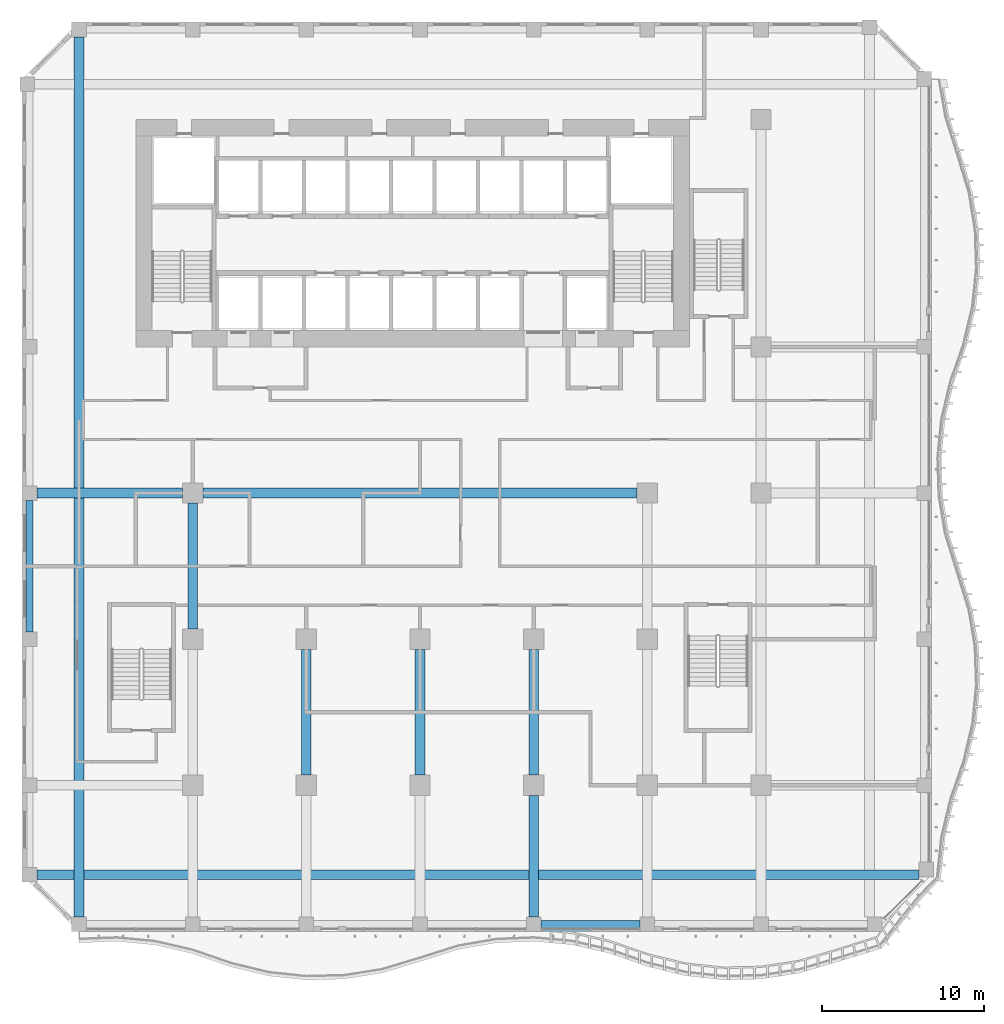
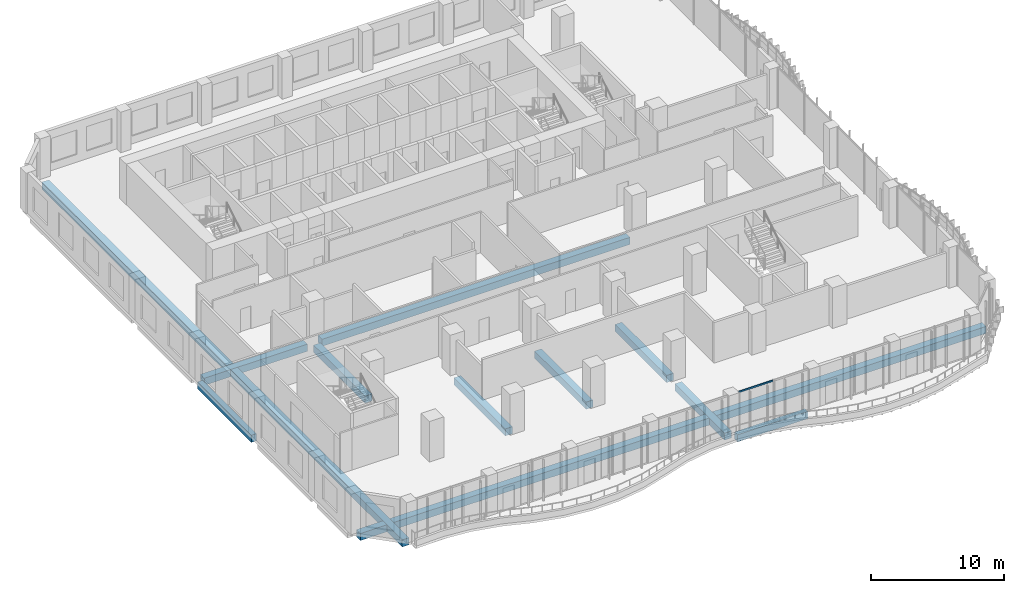
# One storey, part 3 of 25: 11 beams, 1 member, 1 element without a shape of its own.
"""IFC4 building model written with IfcOpenShell, lengths in metres."""

import ifcopenshell
import ifcopenshell.guid

model = None  # the IFC model being written
_history = None  # IfcOwnerHistory: only IFC2X3 demands one
_inside = {}  # id of a spatial element -> (the spatial element, [elements in it])
_under = {}  # id of a project, library or spatial element -> (it, [spatial elements below it])
_declared = {}  # id of a project -> (the project, [libraries it declares])
_typed = {}  # id of a type object -> (the type object, [elements of that type])
_made_of = {}  # id of a material, layer set ... -> (it, [elements and type objects made of it])


def new_model(schema):
    """Start an empty IFC model of exactly this schema.

    Asked for "IFC4X3", IfcOpenShell would pick the latest addendum, in which some entities
    have other attributes; the version numbers below select the first issue.
    IFC2X3 requires an IfcOwnerHistory on every rooted entity: one is made here for all.
    """
    global model, _history
    if schema == "IFC4X3":
        model = ifcopenshell.file(schema_version=(4, 3, 0, 0))
    else:
        model = ifcopenshell.file(schema=schema)
    _inside.clear()
    _under.clear()
    _declared.clear()
    _typed.clear()
    _made_of.clear()
    _history = None
    if model.schema == "IFC2X3":
        org = make("IfcOrganization", Name="unknown")
        user = make(
            "IfcPersonAndOrganization",
            ThePerson=make("IfcPerson", FamilyName="unknown"),
            TheOrganization=org,
        )
        app = make(
            "IfcApplication",
            ApplicationDeveloper=org,
            Version="unknown",
            ApplicationFullName="unknown",
            ApplicationIdentifier="unknown",
        )
        _history = make(
            "IfcOwnerHistory",
            OwningUser=user,
            OwningApplication=app,
            ChangeAction="ADDED",
            CreationDate=0,
        )
    return model


def make(cls, **values):
    """One entity of the class cls with the attributes given. An attribute that is None is left unset."""
    return model.create_entity(
        cls, **{name: value for name, value in values.items() if value is not None}
    )


def rooted(cls, **values):
    """An entity with a GlobalId (a new one), such as an element, a storey or a relation."""
    return make(cls, GlobalId=ifcopenshell.guid.new(), OwnerHistory=_history, **values)


def si_unit(unit_type, name, prefix=None):
    """IfcSIUnit, for example si_unit("LENGTHUNIT", "METRE", prefix="MILLI")."""
    return make("IfcSIUnit", UnitType=unit_type, Prefix=prefix, Name=name)


def assignment(units):
    """IfcUnitAssignment: the units of a project."""
    return None if units is None else make("IfcUnitAssignment", Units=units)


def point(xyz):
    """IfcCartesianPoint."""
    return None if xyz is None else make("IfcCartesianPoint", Coordinates=xyz)


def direction(xyz):
    """IfcDirection."""
    return None if xyz is None else make("IfcDirection", DirectionRatios=xyz)


def frame(location, z_axis=None, x_axis=None):
    """IfcAxis2Placement3D, a coordinate frame: its origin and axes. An axis left out is left unset."""
    return make(
        "IfcAxis2Placement3D",
        Location=point(location),
        Axis=direction(z_axis),
        RefDirection=direction(x_axis),
    )


def frame_2d(location, x_axis=None):
    """IfcAxis2Placement2D, a coordinate frame in the plane: its origin and x axis."""
    return make(
        "IfcAxis2Placement2D", Location=point(location), RefDirection=direction(x_axis)
    )


def origin():
    """The frame at (0, 0, 0) with its axes left unset."""
    return frame((0.0, 0.0, 0.0))


def origin_2d():
    """The frame at (0, 0) in the plane with its x axis left unset."""
    return frame_2d((0.0, 0.0))


def place(relative_to, where):
    """IfcLocalPlacement: puts the frame where relative to a parent placement (None: the world)."""
    return make(
        "IfcLocalPlacement", PlacementRelTo=relative_to, RelativePlacement=where
    )


def context(
    kind, dimensions, precision=None, world=None, true_north=None, identifier=None
):
    """IfcGeometricRepresentationContext, for example the 3D "Model" context."""
    return make(
        "IfcGeometricRepresentationContext",
        ContextIdentifier=identifier,
        ContextType=kind,
        CoordinateSpaceDimension=dimensions,
        Precision=precision,
        WorldCoordinateSystem=world,
        TrueNorth=true_north,
    )


def subcontext(parent, identifier, kind, view, scale=None):
    """IfcGeometricRepresentationSubContext, for example "Body" below "Model"."""
    return make(
        "IfcGeometricRepresentationSubContext",
        ContextIdentifier=identifier,
        ContextType=kind,
        ParentContext=parent,
        TargetScale=scale,
        TargetView=view,
    )


def project(units=None, contexts=None):
    """IfcProject with its units and contexts."""
    return rooted(
        "IfcProject",
        Name="project",
        RepresentationContexts=contexts,
        UnitsInContext=assignment(units),
    )


def spatial(cls, under=None, at=None, **own):
    """A site, building, storey or space (cls), placed at a placement, below another one or the project."""
    s = rooted(cls, ObjectPlacement=at, **own)
    if under is not None:
        _under.setdefault(under.id(), (under, []))[1].append(s)
    return s


def profile(cls, at=None, kind="AREA", **sizes):
    """A parametric profile (cls). Its sizes go by their IFC names, for example OverallWidth=200.0."""
    return make(cls, ProfileType=kind, Position=at, **sizes)


def rectangle(**sizes):
    """IfcRectangleProfileDef."""
    return profile("IfcRectangleProfileDef", **sizes)


def extrude(swept, where, along, depth):
    """IfcExtrudedAreaSolid: the profile swept, set in the frame where, extruded along a direction by depth."""
    return make(
        "IfcExtrudedAreaSolid",
        SweptArea=swept,
        Position=where,
        ExtrudedDirection=direction(along),
        Depth=depth,
    )


def shape(context_of_items, identifier, shape_type, items):
    """IfcShapeRepresentation: the items that make up one representation, for example the "Body"."""
    return make(
        "IfcShapeRepresentation",
        ContextOfItems=context_of_items,
        RepresentationIdentifier=identifier,
        RepresentationType=shape_type,
        Items=items,
    )


def source(mapping_origin, context_of_items, identifier, shape_type, items):
    """IfcRepresentationMap: a shape defined once, which mapped items show again and again."""
    return make(
        "IfcRepresentationMap",
        MappingOrigin=mapping_origin,
        MappedRepresentation=shape(context_of_items, identifier, shape_type, items),
    )


def transform(
    local_origin,
    x_axis=None,
    y_axis=None,
    z_axis=None,
    scale=None,
    scale2=None,
    scale3=None,
    uniform=True,
):
    """IfcCartesianTransformationOperator3D, or its non-uniform kind. x_axis, y_axis, z_axis: its Axis1, 2, 3."""
    if uniform:
        return make(
            "IfcCartesianTransformationOperator3D",
            Axis1=direction(x_axis),
            Axis2=direction(y_axis),
            LocalOrigin=point(local_origin),
            Scale=scale,
            Axis3=direction(z_axis),
        )
    return make(
        "IfcCartesianTransformationOperator3DnonUniform",
        Axis1=direction(x_axis),
        Axis2=direction(y_axis),
        LocalOrigin=point(local_origin),
        Scale=scale,
        Axis3=direction(z_axis),
        Scale2=scale2,
        Scale3=scale3,
    )


def mapped(mapping_source, mapping_target):
    """IfcMappedItem: shows the shape of a source again, moved by a transform."""
    return make(
        "IfcMappedItem", MappingSource=mapping_source, MappingTarget=mapping_target
    )


def material(Name=None, Category=None):
    """IfcMaterial."""
    return make("IfcMaterial", Name=Name, Category=Category)


def material_profile(
    of_material, cross_section, Name=None, Category=None, Priority=None
):
    """IfcMaterialProfile: a cross section and its material."""
    return make(
        "IfcMaterialProfile",
        Name=Name,
        Material=of_material,
        Profile=cross_section,
        Priority=Priority,
        Category=Category,
    )


def profile_set(profiles, Name=None, composite=None):
    """IfcMaterialProfileSet."""
    return make(
        "IfcMaterialProfileSet",
        Name=Name,
        MaterialProfiles=profiles,
        CompositeProfile=composite,
    )


def made_of(thing, what):
    """Note that an element or type object is made of a material, layer set ...; save() writes the relation."""
    if what is not None:
        _made_of.setdefault(what.id(), (what, []))[1].append(thing)
    return thing


def type_object(cls, material=None, **own):
    """A type object (cls), such as IfcWallType, which elements share."""
    return made_of(rooted(cls, **own), material)


def element(
    cls,
    number,
    at=None,
    inside=None,
    cuts=None,
    type_object=None,
    material=None,
    context=None,
    identifier="Body",
    shape_type=None,
    held_by="IfcProductDefinitionShape",
    body=None,
    shapes=None,
    **own,
):
    """One element of the class cls, such as IfcWall. Its Tag is "e" and its number.

    at: its placement. inside: the storey or other place that contains it. cuts: it is an
    opening in that element (IfcRelVoidsElement). A single representation is given by context,
    identifier, shape_type and body (its items); several are given by shapes. held_by: the class
    of the entity that holds the representations. save() writes the other relations.
    """
    e = rooted(cls, Tag="e%d" % number, ObjectPlacement=at, **own)
    if body is not None:
        shapes = [shape(context, identifier, shape_type, body)]
    if shapes is not None:
        e.Representation = make(held_by, Representations=shapes)
    if inside is not None:
        _inside.setdefault(inside.id(), (inside, []))[1].append(e)
    if cuts is not None:
        rooted(
            "IfcRelVoidsElement", RelatingBuildingElement=cuts, RelatedOpeningElement=e
        )
    if type_object is not None:
        _typed.setdefault(type_object.id(), (type_object, []))[1].append(e)
    return made_of(e, material)


def aggregate(whole, parts):
    """IfcRelAggregates: a whole, such as a stair, and the parts it consists of."""
    return rooted("IfcRelAggregates", RelatingObject=whole, RelatedObjects=parts)


def save(model, path):
    """Write the relations noted so far, then the file.

    IfcRelAggregates (storeys below a building ...), IfcRelContainedInSpatialStructure (elements
    in a storey), IfcRelDefinesByType, IfcRelAssociatesMaterial and IfcRelDeclares: one each for
    every whole, place, type object, material and project.
    """
    for whole, parts in _under.values():
        aggregate(whole, parts)
    for where, things in _inside.values():
        rooted(
            "IfcRelContainedInSpatialStructure",
            RelatedElements=things,
            RelatingStructure=where,
        )
    for kind, things in _typed.values():
        rooted("IfcRelDefinesByType", RelatedObjects=things, RelatingType=kind)
    for what, things in _made_of.values():
        rooted("IfcRelAssociatesMaterial", RelatedObjects=things, RelatingMaterial=what)
    for by, libraries in _declared.values():
        rooted("IfcRelDeclares", RelatingContext=by, RelatedDefinitions=libraries)
    model.write(path)


model = new_model("IFC4")

# Units and contexts
model_context = context("Model", 3, precision=1e-05, world=origin(), true_north=direction((0.0, 1.0)))
body_context = subcontext(model_context, "Body", "Model", "MODEL_VIEW")
ifc_project = project(units=[si_unit("LENGTHUNIT", "METRE"), si_unit("AREAUNIT", "SQUARE_METRE"), si_unit("VOLUMEUNIT", "CUBIC_METRE"), si_unit("PLANEANGLEUNIT", "RADIAN"), si_unit("MASSUNIT", "GRAM", prefix="KILO")], contexts=[model_context])

# Site, building, storey
site_placement = place(None, origin())
site = spatial("IfcSite", under=ifc_project, at=site_placement, CompositionType="ELEMENT")
building_placement = place(site_placement, origin())
building = spatial("IfcBuilding", under=site, at=building_placement, Name="Kilnfold Tower and Market Hall", CompositionType="ELEMENT")
storey_placement = place(building_placement, frame((0.0, 0.0, 67.199951171875)))
storey = spatial("IfcBuildingStorey", under=building, at=storey_placement, Name="L15", CompositionType="ELEMENT", Elevation=67.199951171875)

# Beams
ifc_material_1 = material(Name="Concrete C45", Category="concrete")
ifc_material_profile_1 = material_profile(ifc_material_1, rectangle(XDim=0.449951171875, YDim=0.64990234375, at=origin_2d()), Name="RC 450x650")
ifc_profile_set_1 = profile_set([ifc_material_profile_1], Name="Concrete C45")
beam_type_1 = type_object("IfcBeamType", Name="EDGE BEAM 450X650 C45", PredefinedType="BEAM", material=ifc_profile_set_1)
shared_shape_1 = source(origin(), body_context, "Body", "SweptSolid", [
    extrude(rectangle(XDim=0.449951171875, YDim=0.64990234375, at=origin_2d()), origin(), (0.0, 0.0, 1.0), 6.10009765625),
])
beam_1_placement = place(storey_placement, frame((8.949951171875, -27.550048828125, -0.60498046875), z_axis=(1.0, 0.0, 0.0), x_axis=(0.0, 1.0, 0.0)))
element("IfcBeam", 1, at=beam_1_placement, inside=storey, type_object=beam_type_1, Name="Beam EB650-B2.64", PredefinedType="BEAM", context=body_context, shape_type="MappedRepresentation", body=[
    mapped(shared_shape_1, transform((0.0, 0.0, 0.0))),
])
ifc_material_2 = material(Name="Concrete C45", Category="concrete")
ifc_material_profile_2 = material_profile(ifc_material_2, rectangle(XDim=0.60009765625, YDim=0.64990234375, at=origin_2d()), Name="RC 600x650")
ifc_profile_set_2 = profile_set([ifc_material_profile_2], Name="Concrete C45")
beam_type_2 = type_object("IfcBeamType", Name="BEAM 600X650 C45", PredefinedType="BEAM", material=ifc_profile_set_2)
shared_shape_2 = source(origin(), body_context, "Body", "SweptSolid", [
    extrude(rectangle(XDim=0.60009765625, YDim=0.64990234375, at=origin_2d()), origin(), (0.0, 0.0, 1.0), 54.331787109375),
])
beam_2_placement = place(storey_placement, frame((-22.10009765625, -24.5, -0.60498046875), z_axis=(1.0, 0.0, 0.0), x_axis=(0.0, 1.0, 0.0)))
element("IfcBeam", 2, at=beam_2_placement, inside=storey, type_object=beam_type_2, Name="Beam BB650-B2.67", PredefinedType="BEAM", context=body_context, shape_type="MappedRepresentation", body=[
    mapped(shared_shape_2, transform((0.0, 0.0, 0.0))),
])
shared_shape_3 = source(origin(), body_context, "Body", "SweptSolid", [
    extrude(rectangle(XDim=0.449951171875, YDim=0.64990234375, at=origin_2d()), origin(), (0.0, 0.0, 1.0), 8.10009765625),
])
beam_3_placement = place(storey_placement, frame((-22.550048828125, -9.550048828125, -0.60498046875), z_axis=(0.0, 1.0, 0.0), x_axis=(-1.0, 0.0, 0.0)))
element("IfcBeam", 3, at=beam_3_placement, inside=storey, type_object=beam_type_1, Name="Beam EB650-B2.39", PredefinedType="BEAM", context=body_context, shape_type="MappedRepresentation", body=[
    mapped(shared_shape_3, transform((0.0, 0.0, 0.0))),
])
shared_shape_4 = source(origin(), body_context, "Body", "SweptSolid", [
    extrude(rectangle(XDim=0.60009765625, YDim=0.64990234375, at=origin_2d()), origin(), (0.0, 0.0, 1.0), 54.2001953125),
])
beam_4_placement = place(storey_placement, frame((-19.5, -27.10009765625, -0.60498046875), z_axis=(0.0, 1.0, 0.0), x_axis=(-1.0, 0.0, 0.0)))
element("IfcBeam", 4, at=beam_4_placement, inside=storey, type_object=beam_type_2, Name="Beam BB650-B2.42", PredefinedType="BEAM", context=body_context, shape_type="MappedRepresentation", body=[
    mapped(shared_shape_4, transform((0.0, 0.0, 0.0))),
])
shared_shape_5 = source(origin(), body_context, "Body", "SweptSolid", [
    extrude(rectangle(XDim=0.60009765625, YDim=0.64990234375, at=origin_2d()), origin(), (0.0, 0.0, 1.0), 8.97509765625),
])
beam_5_placement = place(storey_placement, frame((-22.10009765625, -1.0, -0.60498046875), z_axis=(1.0, 0.0, 0.0), x_axis=(0.0, 1.0, 0.0)))
element("IfcBeam", 5, at=beam_5_placement, inside=storey, type_object=beam_type_2, Name="Beam BB650-B2.70", PredefinedType="BEAM", context=body_context, shape_type="MappedRepresentation", body=[
    mapped(shared_shape_5, transform((0.0, 0.0, 0.0))),
])
shared_shape_6 = source(origin(), body_context, "Body", "SweptSolid", [
    extrude(rectangle(XDim=0.60009765625, YDim=0.64990234375, at=origin_2d()), origin(), (0.0, 0.0, 1.0), 26.75),
])
beam_6_placement = place(storey_placement, frame((-11.875, -1.0, -0.60498046875), z_axis=(1.0, 0.0, 0.0), x_axis=(0.0, 1.0, 0.0)))
element("IfcBeam", 6, at=beam_6_placement, inside=storey, type_object=beam_type_2, Name="Beam BB650-B2.71", PredefinedType="BEAM", context=body_context, shape_type="MappedRepresentation", body=[
    mapped(shared_shape_6, transform((0.0, 0.0, 0.0))),
])
shared_shape_7 = source(origin(), body_context, "Body", "SweptSolid", [
    extrude(rectangle(XDim=0.60009765625, YDim=0.64990234375, at=origin_2d()), origin(), (0.0, 0.0, 1.0), 7.47509765625),
])
beam_7_placement = place(storey_placement, frame((8.5, -27.10009765625, -0.60498046875), z_axis=(0.0, 1.0, 0.0), x_axis=(-1.0, 0.0, 0.0)))
element("IfcBeam", 7, at=beam_7_placement, inside=storey, type_object=beam_type_2, Name="Beam BB650-B2.89", PredefinedType="BEAM", context=body_context, shape_type="MappedRepresentation", body=[
    mapped(shared_shape_7, transform((0.0, 0.0, 0.0))),
])
shared_shape_8 = source(origin(), body_context, "Body", "SweptSolid", [
    extrude(rectangle(XDim=0.60009765625, YDim=0.64990234375, at=origin_2d()), origin(), (0.0, 0.0, 1.0), 7.75),
])
for number, where, z_axis, x_axis, name in (
    (8, (-12.5, -9.375, -0.60498046875), (0.0, 1.0, 0.0), (-1.0, 0.0, 0.0), "Beam BB650-B2.84"),
    (9, (-5.5, -18.375, -0.60498046875), (0.0, 1.0, 0.0), (-1.0, 0.0, 0.0), "Beam BB650-B2.86"),
    (10, (1.5, -18.375, -0.60498046875), (0.0, 1.0, 0.0), (-1.0, 0.0, 0.0), "Beam BB650-B2.88"),
    (11, (8.5, -18.375, -0.60498046875), (0.0, 1.0, 0.0), (-1.0, 0.0, 0.0), "Beam BB650-B2.90"),
):
    element("IfcBeam", number, at=place(storey_placement, frame(where, z_axis=z_axis, x_axis=x_axis)), inside=storey, type_object=beam_type_2, Name=name, PredefinedType="BEAM", context=body_context, shape_type="MappedRepresentation", body=[
        mapped(shared_shape_8, transform((0.0, 0.0, 0.0))),
    ])

# Curtain wall, member
ifc_material_3 = material(Name="Aluminium and double glazing", Category="aluminium")
curtain_wall_type = type_object("IfcCurtainWallType", Name="CW OF1 VALLEY GLAZING", PredefinedType="NOTDEFINED", material=ifc_material_3)
curtain_wall_placement = place(storey_placement, origin())
curtain_wall = element("IfcCurtainWall", 12, at=curtain_wall_placement, inside=storey, type_object=curtain_wall_type, Name="Curtain wall CW1 L15 S", PredefinedType="NOTDEFINED")
ifc_material_4 = material(Name="Aluminium", Category="aluminium")
ifc_material_profile_3 = material_profile(ifc_material_4, rectangle(XDim=0.06005859375, YDim=0.139892578125, at=origin_2d()), Name="TRANSOM 60x140")
ifc_profile_set_3 = profile_set([ifc_material_profile_3], Name="Aluminium")
member_type = type_object("IfcMemberType", Name="TRANSOM 60X140", PredefinedType="USERDEFINED", material=ifc_profile_set_3)
shared_shape_9 = source(origin(), body_context, "Body", "SweptSolid", [
    extrude(rectangle(XDim=0.06005859375, YDim=0.139892578125, at=origin_2d()), origin(), (0.0, 0.0, 1.0), 2.929931640625),
])
member_placement = place(storey_placement, frame((9.010009765625, -27.85009765625, 3.68994140625), z_axis=(1.0, 0.0, 0.0), x_axis=(0.0, 1.0, 0.0)))
member = element("IfcMember", 13, at=member_placement, type_object=member_type, Name="CW1 transom 1.2", ObjectType="TRANSOM", PredefinedType="USERDEFINED", context=body_context, shape_type="MappedRepresentation", body=[
    mapped(shared_shape_9, transform((0.0, 0.0, 0.0))),
])
aggregate(curtain_wall, [member])

save(model, "model.ifc")
